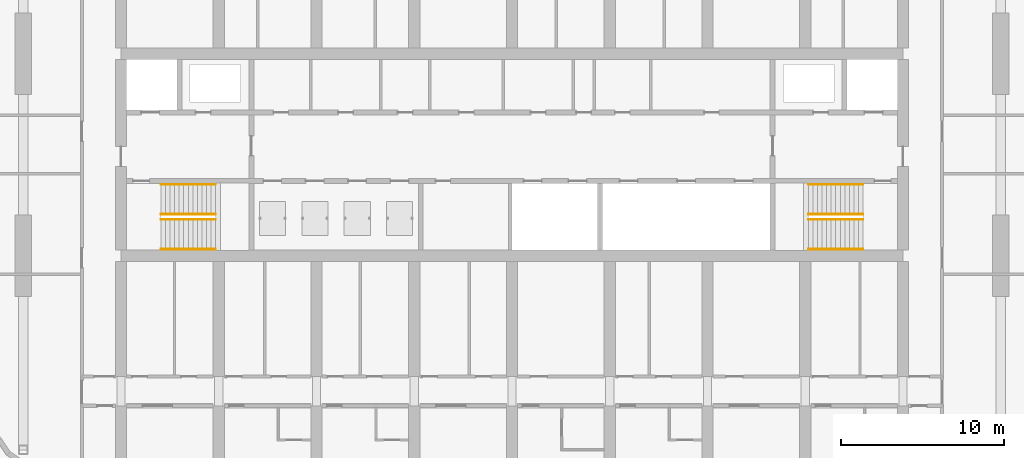
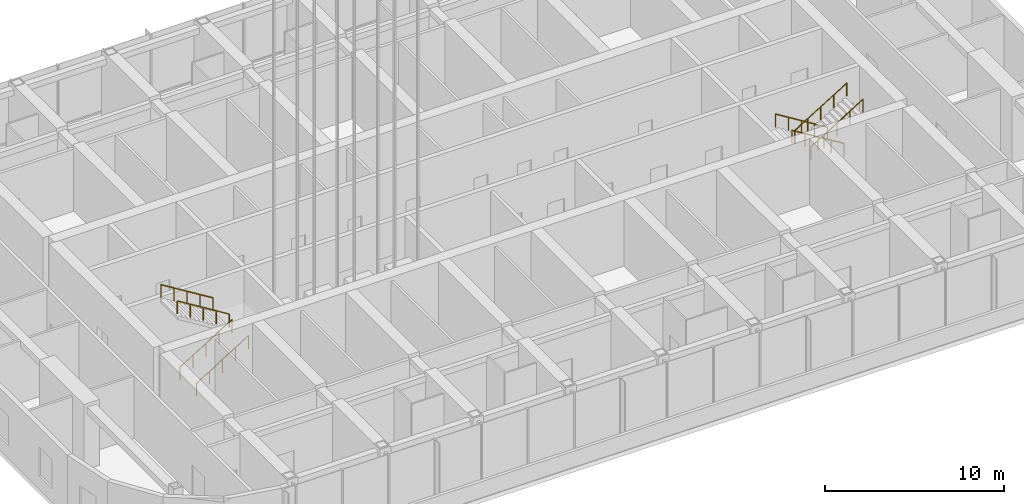
# One storey, part 26 of 35: 8 railings.
"""IFC4 building model written with IfcOpenShell, lengths in metres."""

from ifc_helpers import new_model, si_unit, direction, frame, origin, origin_2d, place, context, subcontext, project, spatial, circle, extrude, material, type_object, element, save


model = new_model("IFC4")

# Units and contexts
model_context = context("Model", 3, precision=1e-05, world=origin(), true_north=direction((0.0, 1.0)))
body_context = subcontext(model_context, "Body", "Model", "MODEL_VIEW")
ifc_project = project(units=[si_unit("LENGTHUNIT", "METRE"), si_unit("AREAUNIT", "SQUARE_METRE"), si_unit("VOLUMEUNIT", "CUBIC_METRE"), si_unit("PLANEANGLEUNIT", "RADIAN"), si_unit("MASSUNIT", "GRAM", prefix="KILO")], contexts=[model_context])

# Site, building, storey
site_placement = place(None, origin())
site = spatial("IfcSite", under=ifc_project, at=site_placement, CompositionType="ELEMENT")
building_placement = place(site_placement, origin())
building = spatial("IfcBuilding", under=site, at=building_placement, Name="Orbita Commons", CompositionType="ELEMENT")
storey_placement = place(building_placement, frame((0.0, 0.0, 208.300048828125)))
storey = spatial("IfcBuildingStorey", under=building, at=storey_placement, Name="L51", CompositionType="ELEMENT", Elevation=208.300048828125)

# Railings
ifc_material = material(Name="Steel tube, painted", Category="steel")
railing_type = type_object("IfcRailingType", Name="Stair handrail steel tube 900", PredefinedType="HANDRAIL", material=ifc_material)
for number, where, name in (
    (1, (20.449951171875, 28.0400390625, 0.173095703125), "Stair S1 handrail L51 flight 1"),
    (2, (20.449951171875, 26.2099609375, 0.173095703125), "Stair S1 handrail L51 flight 1"),
):
    element("IfcRailing", number, at=place(storey_placement, frame(where)), inside=storey, type_object=railing_type, Name=name, PredefinedType="HANDRAIL", context=body_context, shape_type="SweptSolid", body=[
        extrude(circle(Radius=0.02099609375, at=origin_2d()), frame((0.0, 0.0, 0.87890625), z_axis=(0.850623216509, 0.0, 0.525775754039), x_axis=(0.0, 1.0, 0.0)), (0.0, 0.0, 1.0), 3.9501953125),
        extrude(circle(Radius=0.02001953125, at=origin_2d()), origin(), (0.0, 0.0, 1.0), 0.85791015625),
        extrude(circle(Radius=0.02001953125, at=origin_2d()), frame((0.840087890625, 0.0, 0.519287109375)), (0.0, 0.0, 1.0), 0.85791015625),
        extrude(circle(Radius=0.02001953125, at=origin_2d()), frame((1.68017578125, 0.0, 1.03857421875)), (0.0, 0.0, 1.0), 0.85791015625),
        extrude(circle(Radius=0.02001953125, at=origin_2d()), frame((2.52001953125, 0.0, 1.5576171875)), (0.0, 0.0, 1.0), 0.85791015625),
        extrude(circle(Radius=0.02001953125, at=origin_2d()), frame((3.360107421875, 0.0, 2.076904296875)), (0.0, 0.0, 1.0), 0.85791015625),
    ])
for number, where, name in (
    (3, (23.81005859375, 28.360107421875, 2.423095703125), "Stair S1 handrail L51 flight 2"),
    (4, (23.81005859375, 30.18994140625, 2.423095703125), "Stair S1 handrail L51 flight 2"),
    (5, (63.550048828125, 28.360107421875, 0.173095703125), "Stair S2 handrail L51 flight 1"),
    (6, (63.550048828125, 30.18994140625, 0.173095703125), "Stair S2 handrail L51 flight 1"),
):
    element("IfcRailing", number, at=place(storey_placement, frame(where)), inside=storey, type_object=railing_type, Name=name, PredefinedType="HANDRAIL", context=body_context, shape_type="SweptSolid", body=[
        extrude(circle(Radius=0.02099609375, at=origin_2d()), frame((0.0, 0.0, 0.87890625), z_axis=(-0.850623216509, 0.0, 0.525775754039), x_axis=(0.0, -1.0, 0.0)), (0.0, 0.0, 1.0), 3.9501953125),
        extrude(circle(Radius=0.02001953125, at=origin_2d()), origin(), (0.0, 0.0, 1.0), 0.85791015625),
        extrude(circle(Radius=0.02001953125, at=origin_2d()), frame((-0.840087890625, 0.0, 0.519287109375)), (0.0, 0.0, 1.0), 0.85791015625),
        extrude(circle(Radius=0.02001953125, at=origin_2d()), frame((-1.68017578125, 0.0, 1.03857421875)), (0.0, 0.0, 1.0), 0.85791015625),
        extrude(circle(Radius=0.02001953125, at=origin_2d()), frame((-2.52001953125, 0.0, 1.5576171875)), (0.0, 0.0, 1.0), 0.85791015625),
        extrude(circle(Radius=0.02001953125, at=origin_2d()), frame((-3.360107421875, 0.0, 2.076904296875)), (0.0, 0.0, 1.0), 0.85791015625),
    ])
for number, where, name in (
    (7, (60.18994140625, 28.0400390625, 2.423095703125), "Stair S2 handrail L51 flight 2"),
    (8, (60.18994140625, 26.2099609375, 2.423095703125), "Stair S2 handrail L51 flight 2"),
):
    element("IfcRailing", number, at=place(storey_placement, frame(where)), inside=storey, type_object=railing_type, Name=name, PredefinedType="HANDRAIL", context=body_context, shape_type="SweptSolid", body=[
        extrude(circle(Radius=0.02099609375, at=origin_2d()), frame((0.0, 0.0, 0.87890625), z_axis=(0.850623216509, 0.0, 0.525775754039), x_axis=(0.0, 1.0, 0.0)), (0.0, 0.0, 1.0), 3.9501953125),
        extrude(circle(Radius=0.02001953125, at=origin_2d()), origin(), (0.0, 0.0, 1.0), 0.85791015625),
        extrude(circle(Radius=0.02001953125, at=origin_2d()), frame((0.840087890625, 0.0, 0.519287109375)), (0.0, 0.0, 1.0), 0.85791015625),
        extrude(circle(Radius=0.02001953125, at=origin_2d()), frame((1.68017578125, 0.0, 1.03857421875)), (0.0, 0.0, 1.0), 0.85791015625),
        extrude(circle(Radius=0.02001953125, at=origin_2d()), frame((2.52001953125, 0.0, 1.5576171875)), (0.0, 0.0, 1.0), 0.85791015625),
        extrude(circle(Radius=0.02001953125, at=origin_2d()), frame((3.360107421875, 0.0, 2.076904296875)), (0.0, 0.0, 1.0), 0.85791015625),
    ])

save(model, "model.ifc")
